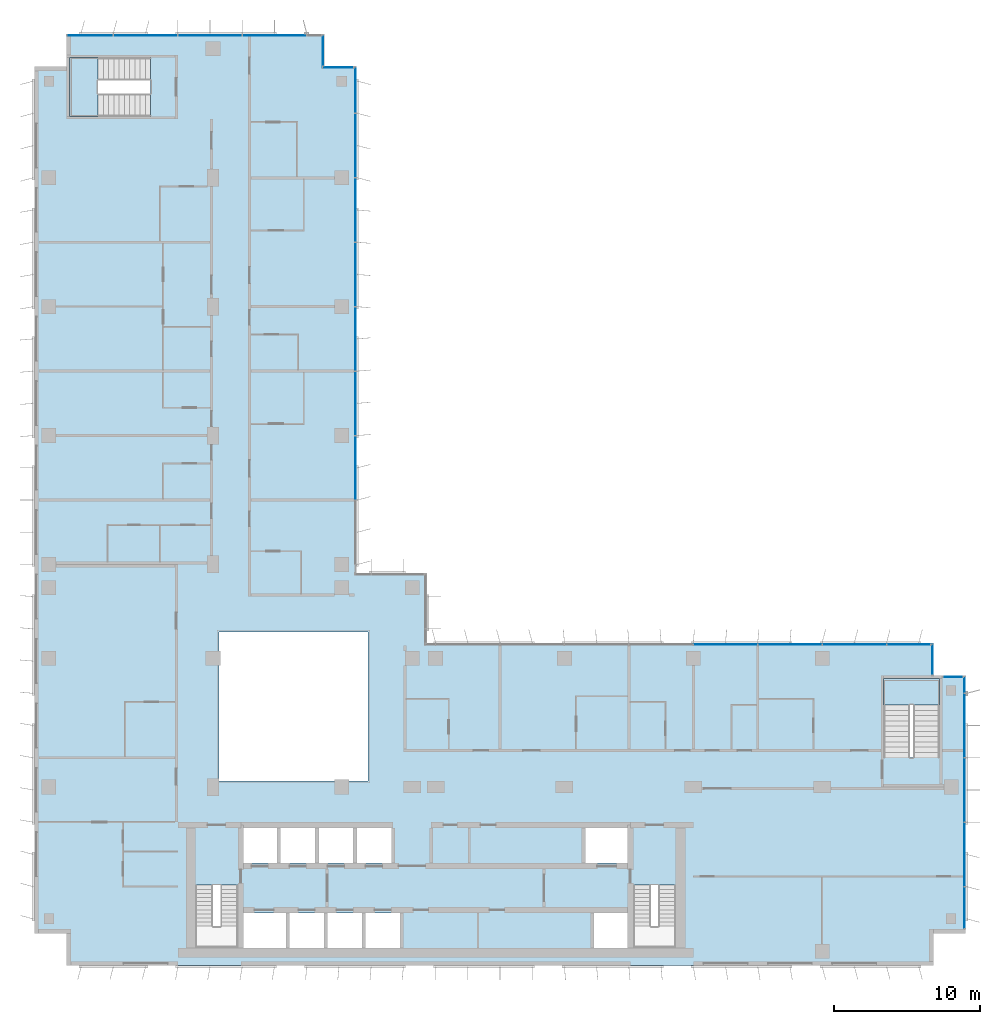
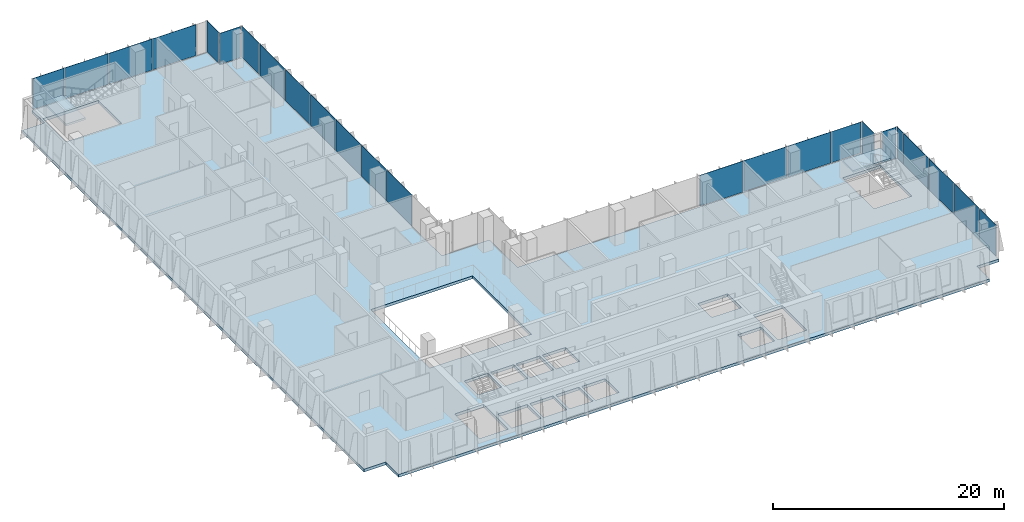
# One storey, part 11 of 21: 24 plates, 3 slabs, 10 elements without a shape of their own.
"""IFC4 building model written with IfcOpenShell, lengths in metres."""

from ifc_helpers import new_model, si_unit, direction, frame, origin, origin_2d, place, context, subcontext, project, spatial, polyline, rectangle, outline, extrude, source, transform, mapped, material, layer, layer_set, type_object, element, aggregate, save


model = new_model("IFC4")

# Units and contexts
model_context = context("Model", 3, precision=1e-05, world=origin(), true_north=direction((0.0, 1.0)))
body_context = subcontext(model_context, "Body", "Model", "MODEL_VIEW")
ifc_project = project(units=[si_unit("LENGTHUNIT", "METRE"), si_unit("AREAUNIT", "SQUARE_METRE"), si_unit("VOLUMEUNIT", "CUBIC_METRE"), si_unit("PLANEANGLEUNIT", "RADIAN"), si_unit("MASSUNIT", "GRAM", prefix="KILO")], contexts=[model_context])

# Site, building, storey
site_placement = place(None, origin())
site = spatial("IfcSite", under=ifc_project, at=site_placement, CompositionType="ELEMENT")
building_placement = place(site_placement, origin())
building = spatial("IfcBuilding", under=site, at=building_placement, Name="Kemantara Hotel Tower", CompositionType="ELEMENT")
storey_placement = place(building_placement, frame((0.0, 0.0, 175.300048828125)))
storey = spatial("IfcBuildingStorey", under=building, at=storey_placement, Name="L43", CompositionType="ELEMENT", Elevation=175.300048828125)

# Slab
ifc_material_1 = material(Name="Concrete fc 40 MPa", Category="concrete")
ifc_layer_1 = layer(ifc_material_1, 0.300048828125)
ifc_layer_set_1 = layer_set([ifc_layer_1], Name="Concrete fc 40 MPa")
slab_type_1 = type_object("IfcSlabType", Name="POST-TENSIONED FLAT PLATE 300", PredefinedType="FLOOR", material=ifc_layer_set_1)
slab_1_placement = place(storey_placement, frame((0.0, 0.0, -0.300048828125)))
element("IfcSlab", 1, at=slab_1_placement, inside=storey, type_object=slab_type_1, Name="FLOOR SLAB L43", PredefinedType="FLOOR", context=body_context, shape_type="SweptSolid", body=[
    extrude(outline(polyline([(22.0, 26.800048828125), (22.0, 61.39990234375), (19.800048828125, 61.39990234375), (19.800048828125, 63.60009765625), (2.199951171875, 63.60009765625), (2.199951171875, 61.39990234375), (0.0, 61.39990234375), (0.0, 2.199951171875), (2.199951171875, 2.199951171875), (2.199951171875, 0.0), (61.39990234375, 0.0), (61.39990234375, 2.199951171875), (63.60009765625, 2.199951171875), (63.60009765625, 19.800048828125), (61.39990234375, 19.800048828125), (61.39990234375, 22.0), (26.800048828125, 22.0), (26.800048828125, 26.800048828125), (22.0, 26.800048828125)]), holes=[polyline([(17.175048828125, 3.60009765625), (17.175048828125, 1.199951171875), (14.22509765625, 1.199951171875), (14.22509765625, 3.60009765625), (17.175048828125, 3.60009765625)]), polyline([(19.77490234375, 1.199951171875), (17.425048828125, 1.199951171875), (17.425048828125, 3.60009765625), (19.77490234375, 3.60009765625), (19.77490234375, 1.199951171875)]), polyline([(11.0, 1.199951171875), (11.0, 5.49951171875), (13.89990234375, 5.49951171875), (13.89990234375, 1.199951171875), (11.0, 1.199951171875)]), polyline([(16.574951171875, 7.0), (14.22509765625, 7.0), (14.22509765625, 9.39990234375), (16.574951171875, 9.39990234375), (16.574951171875, 7.0)]), polyline([(19.175048828125, 7.0), (16.824951171875, 7.0), (16.824951171875, 9.39990234375), (19.175048828125, 9.39990234375), (19.175048828125, 7.0)]), polyline([(21.77490234375, 7.0), (19.425048828125, 7.0), (19.425048828125, 9.39990234375), (21.77490234375, 9.39990234375), (21.77490234375, 7.0)]), polyline([(22.800048828125, 12.60009765625), (12.60009765625, 12.60009765625), (12.60009765625, 22.800048828125), (22.800048828125, 22.800048828125), (22.800048828125, 12.60009765625)]), polyline([(2.39990234375, 62.0), (7.949462890625, 62.0), (7.949462890625, 58.0), (2.39990234375, 58.0), (2.39990234375, 62.0)]), polyline([(22.375, 1.199951171875), (20.02490234375, 1.199951171875), (20.02490234375, 3.60009765625), (22.375, 3.60009765625), (22.375, 1.199951171875)]), polyline([(24.97509765625, 1.199951171875), (22.625, 1.199951171875), (22.625, 3.60009765625), (24.97509765625, 3.60009765625), (24.97509765625, 1.199951171875)]), polyline([(40.574951171875, 1.199951171875), (38.22509765625, 1.199951171875), (38.22509765625, 3.60009765625), (40.574951171875, 3.60009765625), (40.574951171875, 1.199951171875)]), polyline([(40.89990234375, 1.199951171875), (40.89990234375, 5.49951171875), (43.800048828125, 5.49951171875), (43.800048828125, 1.199951171875), (40.89990234375, 1.199951171875)]), polyline([(24.375, 7.0), (22.02490234375, 7.0), (22.02490234375, 9.39990234375), (24.375, 9.39990234375), (24.375, 7.0)]), polyline([(40.574951171875, 7.0), (37.625, 7.0), (37.625, 9.39990234375), (40.574951171875, 9.39990234375), (40.574951171875, 7.0)]), polyline([(61.800048828125, 19.60009765625), (61.800048828125, 14.20068359375), (58.0, 14.20068359375), (58.0, 19.60009765625), (61.800048828125, 19.60009765625)])]), origin(), (0.0, 0.0, 1.0), 0.300048828125),
])

# Stair, slab
stair_type_1 = type_object("IfcStairType", Name="Stair 1800 wide 22 risers of 168 x 360 mm", PredefinedType="HALF_TURN_STAIR", material=ifc_material_1)
stair_1_placement = place(storey_placement, origin())
stair_1 = element("IfcStair", 2, at=stair_1_placement, inside=storey, type_object=stair_type_1, Name="L43 Exit stair ST3", PredefinedType="HALF_TURN_STAIR")
ifc_layer_2 = layer(ifc_material_1, 0.199951171875)
ifc_layer_set_2 = layer_set([ifc_layer_2], Name="Concrete fc 40 MPa")
slab_type_2 = type_object("IfcSlabType", Name="Stair landing 200 mm", PredefinedType="LANDING", material=ifc_layer_set_2)
slab_2_placement = place(storey_placement, frame((0.0, 0.0, 1.64990234375)))
slab_2 = element("IfcSlab", 3, at=slab_2_placement, type_object=slab_type_2, Name="ST3 landing 1", PredefinedType="LANDING", context=body_context, shape_type="SweptSolid", body=[
    extrude(outline(polyline([(61.800048828125, 17.800048828125), (61.800048828125, 19.60009765625), (58.0, 19.60009765625), (58.0, 17.800048828125), (61.800048828125, 17.800048828125)])), origin(), (0.0, 0.0, 1.0), 0.199951171875),
])
aggregate(stair_1, [slab_2])

stair_type_2 = type_object("IfcStairType", Name="Stair 1550 wide 22 risers of 168 x 360 mm", PredefinedType="HALF_TURN_STAIR", material=ifc_material_1)
stair_2_placement = place(storey_placement, origin())
stair_2 = element("IfcStair", 4, at=stair_2_placement, inside=storey, type_object=stair_type_2, Name="L43 Exit stair ST4", PredefinedType="HALF_TURN_STAIR")
slab_3_placement = place(storey_placement, frame((0.0, 0.0, 1.64990234375)))
slab_3 = element("IfcSlab", 5, at=slab_3_placement, type_object=slab_type_2, Name="ST4 landing 1", PredefinedType="LANDING", context=body_context, shape_type="SweptSolid", body=[
    extrude(outline(polyline([(4.35009765625, 62.0), (2.39990234375, 62.0), (2.39990234375, 58.0), (4.35009765625, 58.0), (4.35009765625, 62.0)])), origin(), (0.0, 0.0, 1.0), 0.199951171875),
])
aggregate(stair_2, [slab_3])

# Curtain wall, plate
ifc_material_2 = material(Name="Low-E tinted double insulated glass 36 mm", Category="glass")
curtain_wall_type = type_object("IfcCurtainWallType", Name="TOWER CURTAIN WALL, FRONT FACES", PredefinedType="USERDEFINED", material=ifc_material_2)
curtain_wall_1_placement = place(storey_placement, origin())
curtain_wall_1 = element("IfcCurtainWall", 6, at=curtain_wall_1_placement, inside=storey, type_object=curtain_wall_type, Name="CW4 L43 T3-R11-1", ObjectType="TOWER CURTAIN WALL, FRONT FACES", PredefinedType="USERDEFINED")
ifc_layer_3 = layer(ifc_material_2, 0.035888671875)
ifc_layer_set_3 = layer_set([ifc_layer_3], Name="Low-E tinted double insulated glass 36 mm")
plate_type = type_object("IfcPlateType", Name="TOWER CURTAIN WALL, FRONT FACES PANEL", PredefinedType="CURTAIN_PANEL", material=ifc_layer_set_3)
shared_shape_1 = source(origin(), body_context, "Body", "SweptSolid", [
    extrude(rectangle(XDim=2.81005859375, YDim=0.035888671875, at=origin_2d()), origin(), (0.0, 0.0, 1.0), 3.280029296875),
])
plate_1_placement = place(storey_placement, frame((63.52490234375, 3.965087890625, 0.1201171875), z_axis=(0.0, 0.0, 1.0), x_axis=(0.0, 1.0, 0.0)))
plate_1 = element("IfcPlate", 7, at=plate_1_placement, type_object=plate_type, Name="CW4 glass panel T3-R11-1.1", PredefinedType="CURTAIN_PANEL", context=body_context, shape_type="MappedRepresentation", body=[
    mapped(shared_shape_1, transform((0.0, 0.0, 0.0))),
])

# Curtain wall, plates
curtain_wall_2_placement = place(storey_placement, origin())
curtain_wall_2 = element("IfcCurtainWall", 8, at=curtain_wall_2_placement, inside=storey, type_object=curtain_wall_type, Name="CW4 L43 T3-R02-1", ObjectType="TOWER CURTAIN WALL, FRONT FACES", PredefinedType="USERDEFINED")
shared_shape_2 = source(origin(), body_context, "Body", "SweptSolid", [
    extrude(rectangle(XDim=4.340087890625, YDim=0.035888671875, at=origin_2d()), origin(), (0.0, 0.0, 1.0), 3.280029296875),
])
plate_2_placement = place(storey_placement, frame((16.39990234375, 63.52490234375, 0.1201171875), z_axis=(0.0, 0.0, 1.0), x_axis=(-1.0, 0.0, 0.0)))
plate_2 = element("IfcPlate", 9, at=plate_2_placement, type_object=plate_type, Name="CW4 glass panel T3-R02-1.2", PredefinedType="CURTAIN_PANEL", context=body_context, shape_type="MappedRepresentation", body=[
    mapped(shared_shape_2, transform((0.0, 0.0, 0.0))),
])
plate_3_placement = place(storey_placement, frame((12.0, 63.52490234375, 0.1201171875), z_axis=(0.0, 0.0, 1.0), x_axis=(-1.0, 0.0, 0.0)))
plate_3 = element("IfcPlate", 10, at=plate_3_placement, type_object=plate_type, Name="CW4 glass panel T3-R02-1.3", PredefinedType="CURTAIN_PANEL", context=body_context, shape_type="MappedRepresentation", body=[
    mapped(shared_shape_2, transform((0.0, 0.0, 0.0))),
])
plate_4_placement = place(storey_placement, frame((7.60009765625, 63.52490234375, 0.1201171875), z_axis=(0.0, 0.0, 1.0), x_axis=(-1.0, 0.0, 0.0)))
plate_4 = element("IfcPlate", 11, at=plate_4_placement, type_object=plate_type, Name="CW4 glass panel T3-R02-1.4", PredefinedType="CURTAIN_PANEL", context=body_context, shape_type="MappedRepresentation", body=[
    mapped(shared_shape_2, transform((0.0, 0.0, 0.0))),
])

# Plate
plate_5_placement = place(storey_placement, frame((63.52490234375, 7.60009765625, 0.1201171875), z_axis=(0.0, 0.0, 1.0), x_axis=(0.0, 1.0, 0.0)))
plate_5 = element("IfcPlate", 12, at=plate_5_placement, type_object=plate_type, Name="CW4 glass panel T3-R11-1.2", PredefinedType="CURTAIN_PANEL", context=body_context, shape_type="MappedRepresentation", body=[
    mapped(shared_shape_2, transform((0.0, 0.0, 0.0))),
])

plate_6_placement = place(storey_placement, frame((63.52490234375, 12.0, 0.1201171875), z_axis=(0.0, 0.0, 1.0), x_axis=(0.0, 1.0, 0.0)))
plate_6 = element("IfcPlate", 13, at=plate_6_placement, type_object=plate_type, Name="CW4 glass panel T3-R11-1.3", PredefinedType="CURTAIN_PANEL", context=body_context, shape_type="MappedRepresentation", body=[
    mapped(shared_shape_2, transform((0.0, 0.0, 0.0))),
])

plate_7_placement = place(storey_placement, frame((63.52490234375, 16.39990234375, 0.1201171875), z_axis=(0.0, 0.0, 1.0), x_axis=(0.0, 1.0, 0.0)))
plate_7 = element("IfcPlate", 14, at=plate_7_placement, type_object=plate_type, Name="CW4 glass panel T3-R11-1.4", PredefinedType="CURTAIN_PANEL", context=body_context, shape_type="MappedRepresentation", body=[
    mapped(shared_shape_2, transform((0.0, 0.0, 0.0))),
])

# Curtain wall, plates
curtain_wall_3_placement = place(storey_placement, origin())
curtain_wall_3 = element("IfcCurtainWall", 15, at=curtain_wall_3_placement, inside=storey, type_object=curtain_wall_type, Name="CW4 L43 T3-R14-1", ObjectType="TOWER CURTAIN WALL, FRONT FACES", PredefinedType="USERDEFINED")
plate_8_placement = place(storey_placement, frame((56.0, 21.925048828125, 0.1201171875), z_axis=(0.0, 0.0, 1.0), x_axis=(-1.0, 0.0, 0.0)))
plate_8 = element("IfcPlate", 16, at=plate_8_placement, type_object=plate_type, Name="CW4 glass panel T3-R14-1.2", PredefinedType="CURTAIN_PANEL", context=body_context, shape_type="MappedRepresentation", body=[
    mapped(shared_shape_2, transform((0.0, 0.0, 0.0))),
])
plate_9_placement = place(storey_placement, frame((51.60009765625, 21.925048828125, 0.1201171875), z_axis=(0.0, 0.0, 1.0), x_axis=(-1.0, 0.0, 0.0)))
plate_9 = element("IfcPlate", 17, at=plate_9_placement, type_object=plate_type, Name="CW4 glass panel T3-R14-1.3", PredefinedType="CURTAIN_PANEL", context=body_context, shape_type="MappedRepresentation", body=[
    mapped(shared_shape_2, transform((0.0, 0.0, 0.0))),
])
plate_10_placement = place(storey_placement, frame((47.199951171875, 21.925048828125, 0.1201171875), z_axis=(0.0, 0.0, 1.0), x_axis=(-1.0, 0.0, 0.0)))
plate_10 = element("IfcPlate", 18, at=plate_10_placement, type_object=plate_type, Name="CW4 glass panel T3-R14-1.4", PredefinedType="CURTAIN_PANEL", context=body_context, shape_type="MappedRepresentation", body=[
    mapped(shared_shape_2, transform((0.0, 0.0, 0.0))),
])

curtain_wall_4_placement = place(storey_placement, origin())
curtain_wall_4 = element("IfcCurtainWall", 19, at=curtain_wall_4_placement, inside=storey, type_object=curtain_wall_type, Name="CW4 L43 T3-R17-1", ObjectType="TOWER CURTAIN WALL, FRONT FACES", PredefinedType="USERDEFINED")
plate_11_placement = place(storey_placement, frame((21.925048828125, 34.0, 0.1201171875), z_axis=(0.0, 0.0, 1.0), x_axis=(0.0, 1.0, 0.0)))
plate_11 = element("IfcPlate", 20, at=plate_11_placement, type_object=plate_type, Name="CW4 glass panel T3-R17-1.3", PredefinedType="CURTAIN_PANEL", context=body_context, shape_type="MappedRepresentation", body=[
    mapped(shared_shape_2, transform((0.0, 0.0, 0.0))),
])
plate_12_placement = place(storey_placement, frame((21.925048828125, 38.39990234375, 0.1201171875), z_axis=(0.0, 0.0, 1.0), x_axis=(0.0, 1.0, 0.0)))
plate_12 = element("IfcPlate", 21, at=plate_12_placement, type_object=plate_type, Name="CW4 glass panel T3-R17-1.4", PredefinedType="CURTAIN_PANEL", context=body_context, shape_type="MappedRepresentation", body=[
    mapped(shared_shape_2, transform((0.0, 0.0, 0.0))),
])
plate_13_placement = place(storey_placement, frame((21.925048828125, 42.800048828125, 0.1201171875), z_axis=(0.0, 0.0, 1.0), x_axis=(0.0, 1.0, 0.0)))
plate_13 = element("IfcPlate", 22, at=plate_13_placement, type_object=plate_type, Name="CW4 glass panel T3-R17-1.5", PredefinedType="CURTAIN_PANEL", context=body_context, shape_type="MappedRepresentation", body=[
    mapped(shared_shape_2, transform((0.0, 0.0, 0.0))),
])
plate_14_placement = place(storey_placement, frame((21.925048828125, 47.199951171875, 0.1201171875), z_axis=(0.0, 0.0, 1.0), x_axis=(0.0, 1.0, 0.0)))
plate_14 = element("IfcPlate", 23, at=plate_14_placement, type_object=plate_type, Name="CW4 glass panel T3-R17-1.6", PredefinedType="CURTAIN_PANEL", context=body_context, shape_type="MappedRepresentation", body=[
    mapped(shared_shape_2, transform((0.0, 0.0, 0.0))),
])
plate_15_placement = place(storey_placement, frame((21.925048828125, 51.60009765625, 0.1201171875), z_axis=(0.0, 0.0, 1.0), x_axis=(0.0, 1.0, 0.0)))
plate_15 = element("IfcPlate", 24, at=plate_15_placement, type_object=plate_type, Name="CW4 glass panel T3-R17-1.7", PredefinedType="CURTAIN_PANEL", context=body_context, shape_type="MappedRepresentation", body=[
    mapped(shared_shape_2, transform((0.0, 0.0, 0.0))),
])
plate_16_placement = place(storey_placement, frame((21.925048828125, 56.0, 0.1201171875), z_axis=(0.0, 0.0, 1.0), x_axis=(0.0, 1.0, 0.0)))
plate_16 = element("IfcPlate", 25, at=plate_16_placement, type_object=plate_type, Name="CW4 glass panel T3-R17-1.8", PredefinedType="CURTAIN_PANEL", context=body_context, shape_type="MappedRepresentation", body=[
    mapped(shared_shape_2, transform((0.0, 0.0, 0.0))),
])

# Plate
shared_shape_3 = source(origin(), body_context, "Body", "SweptSolid", [
    extrude(rectangle(XDim=3.110107421875, YDim=0.035888671875, at=origin_2d()), origin(), (0.0, 0.0, 1.0), 3.280029296875),
])
plate_17_placement = place(storey_placement, frame((3.81494140625, 63.52490234375, 0.1201171875), z_axis=(0.0, 0.0, 1.0), x_axis=(-1.0, 0.0, 0.0)))
plate_17 = element("IfcPlate", 26, at=plate_17_placement, type_object=plate_type, Name="CW4 glass panel T3-R02-1.5", PredefinedType="CURTAIN_PANEL", context=body_context, shape_type="MappedRepresentation", body=[
    mapped(shared_shape_3, transform((0.0, 0.0, 0.0))),
])

aggregate(curtain_wall_2, [plate_2, plate_3, plate_4, plate_17])

plate_18_placement = place(storey_placement, frame((21.925048828125, 59.784912109375, 0.1201171875), z_axis=(0.0, 0.0, 1.0), x_axis=(0.0, 1.0, 0.0)))
plate_18 = element("IfcPlate", 27, at=plate_18_placement, type_object=plate_type, Name="CW4 glass panel T3-R17-1.9", PredefinedType="CURTAIN_PANEL", context=body_context, shape_type="MappedRepresentation", body=[
    mapped(shared_shape_3, transform((0.0, 0.0, 0.0))),
])

aggregate(curtain_wall_4, [plate_11, plate_12, plate_13, plate_14, plate_15, plate_16, plate_18])

# Curtain wall, plate
curtain_wall_5_placement = place(storey_placement, origin())
curtain_wall_5 = element("IfcCurtainWall", 28, at=curtain_wall_5_placement, inside=storey, type_object=curtain_wall_type, Name="CW4 L43 T3-R00-1", ObjectType="TOWER CURTAIN WALL, FRONT FACES", PredefinedType="USERDEFINED")
shared_shape_4 = source(origin(), body_context, "Body", "SweptSolid", [
    extrude(rectangle(XDim=2.080078125, YDim=0.035888671875, at=origin_2d()), origin(), (0.0, 0.0, 1.0), 3.280029296875),
])
plate_19_placement = place(storey_placement, frame((20.75, 61.324951171875, 0.1201171875), z_axis=(0.0, 0.0, 1.0), x_axis=(-1.0, 0.0, 0.0)))
plate_19 = element("IfcPlate", 29, at=plate_19_placement, type_object=plate_type, Name="CW4 glass panel T3-R00-1.1", PredefinedType="CURTAIN_PANEL", context=body_context, shape_type="MappedRepresentation", body=[
    mapped(shared_shape_4, transform((0.0, 0.0, 0.0))),
])
aggregate(curtain_wall_5, [plate_19])

curtain_wall_6_placement = place(storey_placement, origin())
curtain_wall_6 = element("IfcCurtainWall", 30, at=curtain_wall_6_placement, inside=storey, type_object=curtain_wall_type, Name="CW4 L43 T3-R01-1", ObjectType="TOWER CURTAIN WALL, FRONT FACES", PredefinedType="USERDEFINED")
plate_20_placement = place(storey_placement, frame((19.72509765625, 62.5, 0.1201171875), z_axis=(0.0, 0.0, 1.0), x_axis=(0.0, 1.0, 0.0)))
plate_20 = element("IfcPlate", 31, at=plate_20_placement, type_object=plate_type, Name="CW4 glass panel T3-R01-1.1", PredefinedType="CURTAIN_PANEL", context=body_context, shape_type="MappedRepresentation", body=[
    mapped(shared_shape_4, transform((0.0, 0.0, 0.0))),
])
aggregate(curtain_wall_6, [plate_20])

curtain_wall_7_placement = place(storey_placement, origin())
curtain_wall_7 = element("IfcCurtainWall", 32, at=curtain_wall_7_placement, inside=storey, type_object=curtain_wall_type, Name="CW4 L43 T3-R13-1", ObjectType="TOWER CURTAIN WALL, FRONT FACES", PredefinedType="USERDEFINED")
plate_21_placement = place(storey_placement, frame((61.324951171875, 20.89990234375, 0.1201171875), z_axis=(0.0, 0.0, 1.0), x_axis=(0.0, 1.0, 0.0)))
plate_21 = element("IfcPlate", 33, at=plate_21_placement, type_object=plate_type, Name="CW4 glass panel T3-R13-1.1", PredefinedType="CURTAIN_PANEL", context=body_context, shape_type="MappedRepresentation", body=[
    mapped(shared_shape_4, transform((0.0, 0.0, 0.0))),
])
aggregate(curtain_wall_7, [plate_21])

# Plate
shared_shape_5 = source(origin(), body_context, "Body", "SweptSolid", [
    extrude(rectangle(XDim=2.9599609375, YDim=0.035888671875, at=origin_2d()), origin(), (0.0, 0.0, 1.0), 3.280029296875),
])
plate_22_placement = place(storey_placement, frame((59.7099609375, 21.925048828125, 0.1201171875), z_axis=(0.0, 0.0, 1.0), x_axis=(-1.0, 0.0, 0.0)))
plate_22 = element("IfcPlate", 34, at=plate_22_placement, type_object=plate_type, Name="CW4 glass panel T3-R14-1.1", PredefinedType="CURTAIN_PANEL", context=body_context, shape_type="MappedRepresentation", body=[
    mapped(shared_shape_5, transform((0.0, 0.0, 0.0))),
])

aggregate(curtain_wall_3, [plate_22, plate_8, plate_9, plate_10])

shared_shape_6 = source(origin(), body_context, "Body", "SweptSolid", [
    extrude(rectangle(XDim=1.110107421875, YDim=0.035888671875, at=origin_2d()), origin(), (0.0, 0.0, 1.0), 3.280029296875),
])
plate_23_placement = place(storey_placement, frame((63.52490234375, 19.18505859375, 0.1201171875), z_axis=(0.0, 0.0, 1.0), x_axis=(0.0, 1.0, 0.0)))
plate_23 = element("IfcPlate", 35, at=plate_23_placement, type_object=plate_type, Name="CW4 glass panel T3-R11-1.5", PredefinedType="CURTAIN_PANEL", context=body_context, shape_type="MappedRepresentation", body=[
    mapped(shared_shape_6, transform((0.0, 0.0, 0.0))),
])

aggregate(curtain_wall_1, [plate_1, plate_5, plate_6, plate_7, plate_23])

# Curtain wall, plate
curtain_wall_8_placement = place(storey_placement, origin())
curtain_wall_8 = element("IfcCurtainWall", 36, at=curtain_wall_8_placement, inside=storey, type_object=curtain_wall_type, Name="CW4 L43 T3-R12-1", ObjectType="TOWER CURTAIN WALL, FRONT FACES", PredefinedType="USERDEFINED")
shared_shape_7 = source(origin(), body_context, "Body", "SweptSolid", [
    extrude(rectangle(XDim=1.330078125, YDim=0.035888671875, at=origin_2d()), origin(), (0.0, 0.0, 1.0), 3.280029296875),
])
plate_24_placement = place(storey_placement, frame((62.72509765625, 19.72509765625, 0.1201171875), z_axis=(0.0, 0.0, 1.0), x_axis=(-1.0, 0.0, 0.0)))
plate_24 = element("IfcPlate", 37, at=plate_24_placement, type_object=plate_type, Name="CW4 glass panel T3-R12-1.1", PredefinedType="CURTAIN_PANEL", context=body_context, shape_type="MappedRepresentation", body=[
    mapped(shared_shape_7, transform((0.0, 0.0, 0.0))),
])
aggregate(curtain_wall_8, [plate_24])

save(model, "model.ifc")
